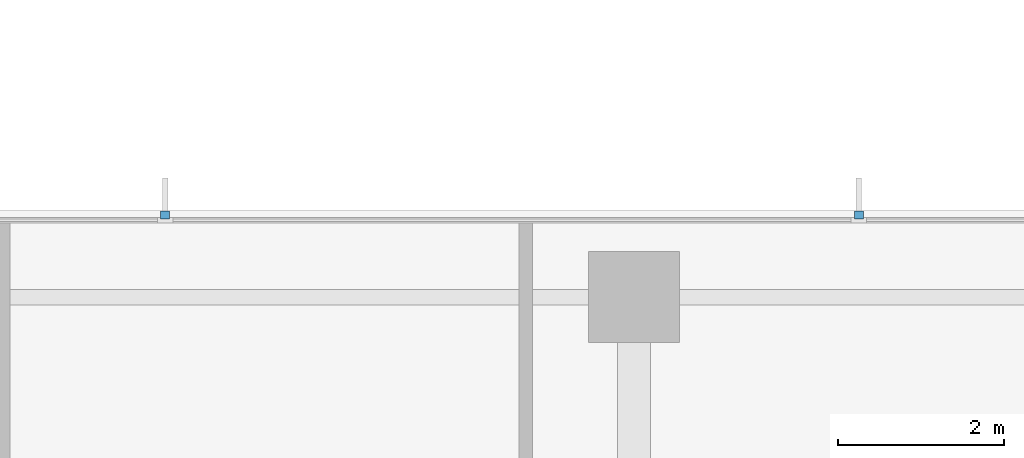
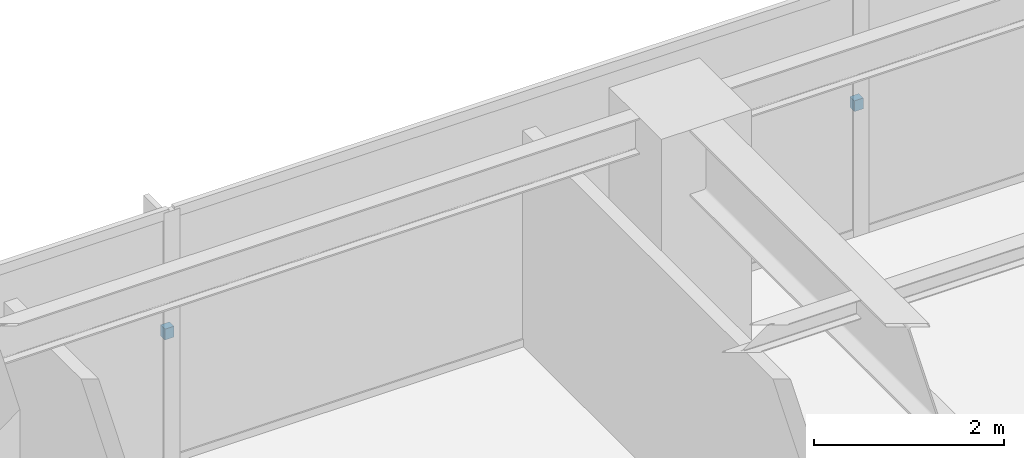
# One storey, part 13 of 15: 2 discrete accessories.
"""IFC4 building model written with IfcOpenShell, lengths in metres."""

from ifc_helpers import new_model, si_unit, direction, frame, origin, place, context, subcontext, project, spatial, polyline, outline, extrude, material, type_object, element, save


model = new_model("IFC4")

# Units and contexts
model_context = context("Model", 3, precision=1e-05, world=origin(), true_north=direction((0.0, 1.0)))
body_context = subcontext(model_context, "Body", "Model", "MODEL_VIEW")
ifc_project = project(units=[si_unit("LENGTHUNIT", "METRE"), si_unit("AREAUNIT", "SQUARE_METRE"), si_unit("VOLUMEUNIT", "CUBIC_METRE"), si_unit("PLANEANGLEUNIT", "RADIAN"), si_unit("MASSUNIT", "GRAM", prefix="KILO")], contexts=[model_context])

# Site, building, storey
site_placement = place(None, origin())
site = spatial("IfcSite", under=ifc_project, at=site_placement, CompositionType="ELEMENT")
building_placement = place(site_placement, origin())
building = spatial("IfcBuilding", under=site, at=building_placement, Name="Qalmaran Belvedere Hotel", CompositionType="ELEMENT")
storey_placement = place(building_placement, frame((0.0, 0.0, 173.60009765625)))
storey = spatial("IfcBuildingStorey", under=building, at=storey_placement, Name="L44", CompositionType="ELEMENT", Elevation=173.60009765625)

# Discrete accessories
ifc_material = material(Name="Stainless Steel 1.4401", Category="steel")
discrete_accessory_type = type_object("IfcDiscreteAccessoryType", Name="BRK-FIN-SS316", PredefinedType="BRACKET", material=ifc_material)
discrete_accessory_1_placement = place(storey_placement, frame((0.0, 0.0, 1.574951171875)))
element("IfcDiscreteAccessory", 1, at=discrete_accessory_1_placement, inside=storey, type_object=discrete_accessory_type, Name="L44 Fin Bracket 1", PredefinedType="BRACKET", context=body_context, shape_type="SweptSolid", body=[
    extrude(outline(polyline([(31.9716796875, 44.39501953125), (31.9716796875, 44.489990234375), (31.86181640625, 44.489990234375), (31.86181640625, 44.39501953125), (31.9716796875, 44.39501953125)])), origin(), (0.0, 0.0, 1.0), 0.139892578125),
])
discrete_accessory_2_placement = place(storey_placement, frame((0.0, 0.0, 1.574951171875)))
element("IfcDiscreteAccessory", 2, at=discrete_accessory_2_placement, inside=storey, type_object=discrete_accessory_type, Name="L44 Fin Bracket 2", PredefinedType="BRACKET", context=body_context, shape_type="SweptSolid", body=[
    extrude(outline(polyline([(23.58837890625, 44.39501953125), (23.58837890625, 44.489990234375), (23.478271484375, 44.489990234375), (23.478271484375, 44.39501953125), (23.58837890625, 44.39501953125)])), origin(), (0.0, 0.0, 1.0), 0.139892578125),
])

save(model, "model.ifc")
